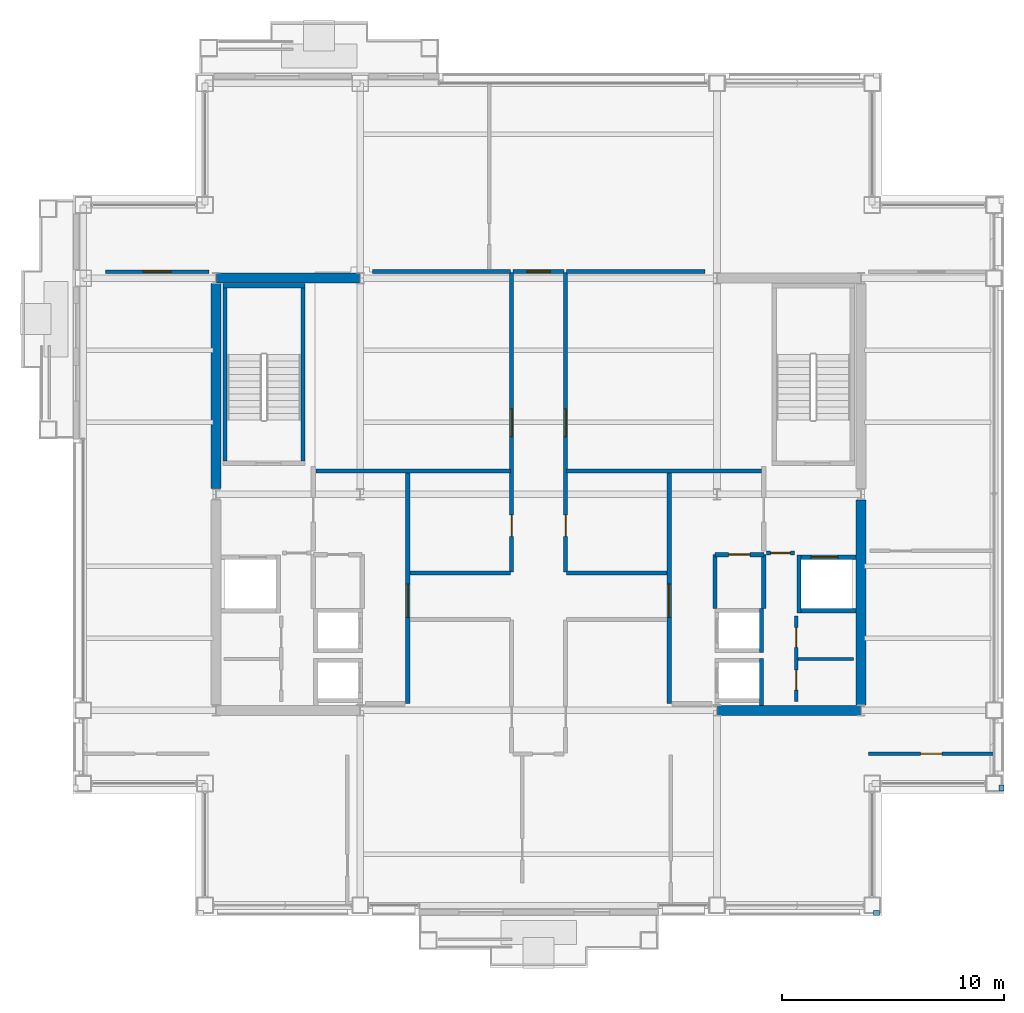
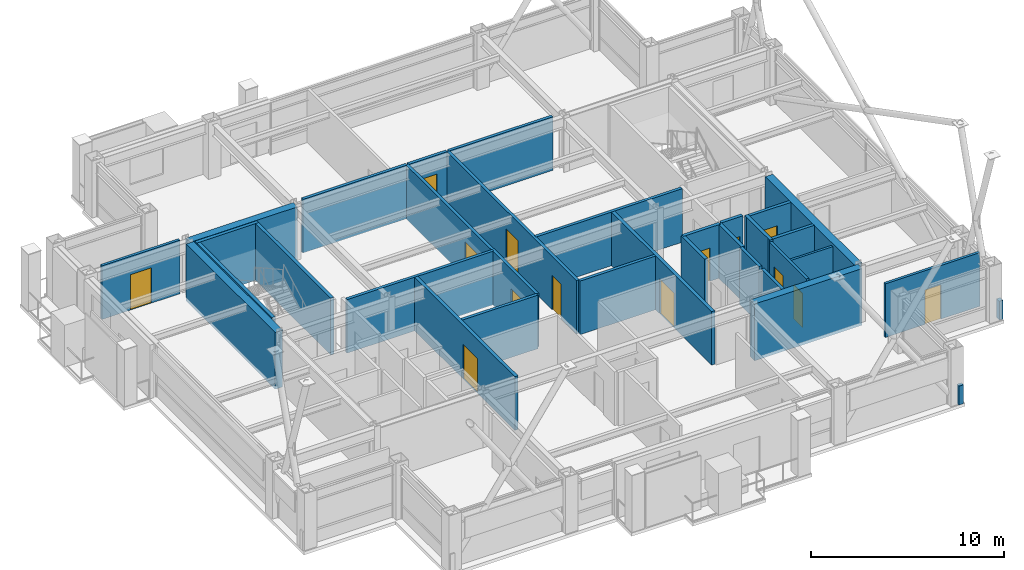
# One storey, part 28 of 32: 33 walls, 14 doors, 14 openings.
"""IFC4 building model written with IfcOpenShell, lengths in metres."""

import ifcopenshell
import ifcopenshell.guid

model = None  # the IFC model being written
_history = None  # IfcOwnerHistory: only IFC2X3 demands one
_inside = {}  # id of a spatial element -> (the spatial element, [elements in it])
_under = {}  # id of a project, library or spatial element -> (it, [spatial elements below it])
_declared = {}  # id of a project -> (the project, [libraries it declares])
_typed = {}  # id of a type object -> (the type object, [elements of that type])
_made_of = {}  # id of a material, layer set ... -> (it, [elements and type objects made of it])


def new_model(schema):
    """Start an empty IFC model of exactly this schema.

    Asked for "IFC4X3", IfcOpenShell would pick the latest addendum, in which some entities
    have other attributes; the version numbers below select the first issue.
    IFC2X3 requires an IfcOwnerHistory on every rooted entity: one is made here for all.
    """
    global model, _history
    if schema == "IFC4X3":
        model = ifcopenshell.file(schema_version=(4, 3, 0, 0))
    else:
        model = ifcopenshell.file(schema=schema)
    _inside.clear()
    _under.clear()
    _declared.clear()
    _typed.clear()
    _made_of.clear()
    _history = None
    if model.schema == "IFC2X3":
        org = make("IfcOrganization", Name="unknown")
        user = make(
            "IfcPersonAndOrganization",
            ThePerson=make("IfcPerson", FamilyName="unknown"),
            TheOrganization=org,
        )
        app = make(
            "IfcApplication",
            ApplicationDeveloper=org,
            Version="unknown",
            ApplicationFullName="unknown",
            ApplicationIdentifier="unknown",
        )
        _history = make(
            "IfcOwnerHistory",
            OwningUser=user,
            OwningApplication=app,
            ChangeAction="ADDED",
            CreationDate=0,
        )
    return model


def make(cls, **values):
    """One entity of the class cls with the attributes given. An attribute that is None is left unset."""
    return model.create_entity(
        cls, **{name: value for name, value in values.items() if value is not None}
    )


def rooted(cls, **values):
    """An entity with a GlobalId (a new one), such as an element, a storey or a relation."""
    return make(cls, GlobalId=ifcopenshell.guid.new(), OwnerHistory=_history, **values)


def si_unit(unit_type, name, prefix=None):
    """IfcSIUnit, for example si_unit("LENGTHUNIT", "METRE", prefix="MILLI")."""
    return make("IfcSIUnit", UnitType=unit_type, Prefix=prefix, Name=name)


def assignment(units):
    """IfcUnitAssignment: the units of a project."""
    return None if units is None else make("IfcUnitAssignment", Units=units)


def point(xyz):
    """IfcCartesianPoint."""
    return None if xyz is None else make("IfcCartesianPoint", Coordinates=xyz)


def direction(xyz):
    """IfcDirection."""
    return None if xyz is None else make("IfcDirection", DirectionRatios=xyz)


def frame(location, z_axis=None, x_axis=None):
    """IfcAxis2Placement3D, a coordinate frame: its origin and axes. An axis left out is left unset."""
    return make(
        "IfcAxis2Placement3D",
        Location=point(location),
        Axis=direction(z_axis),
        RefDirection=direction(x_axis),
    )


def frame_2d(location, x_axis=None):
    """IfcAxis2Placement2D, a coordinate frame in the plane: its origin and x axis."""
    return make(
        "IfcAxis2Placement2D", Location=point(location), RefDirection=direction(x_axis)
    )


def origin():
    """The frame at (0, 0, 0) with its axes left unset."""
    return frame((0.0, 0.0, 0.0))


def place(relative_to, where):
    """IfcLocalPlacement: puts the frame where relative to a parent placement (None: the world)."""
    return make(
        "IfcLocalPlacement", PlacementRelTo=relative_to, RelativePlacement=where
    )


def context(
    kind, dimensions, precision=None, world=None, true_north=None, identifier=None
):
    """IfcGeometricRepresentationContext, for example the 3D "Model" context."""
    return make(
        "IfcGeometricRepresentationContext",
        ContextIdentifier=identifier,
        ContextType=kind,
        CoordinateSpaceDimension=dimensions,
        Precision=precision,
        WorldCoordinateSystem=world,
        TrueNorth=true_north,
    )


def subcontext(parent, identifier, kind, view, scale=None):
    """IfcGeometricRepresentationSubContext, for example "Body" below "Model"."""
    return make(
        "IfcGeometricRepresentationSubContext",
        ContextIdentifier=identifier,
        ContextType=kind,
        ParentContext=parent,
        TargetScale=scale,
        TargetView=view,
    )


def project(units=None, contexts=None):
    """IfcProject with its units and contexts."""
    return rooted(
        "IfcProject",
        Name="project",
        RepresentationContexts=contexts,
        UnitsInContext=assignment(units),
    )


def spatial(cls, under=None, at=None, **own):
    """A site, building, storey or space (cls), placed at a placement, below another one or the project."""
    s = rooted(cls, ObjectPlacement=at, **own)
    if under is not None:
        _under.setdefault(under.id(), (under, []))[1].append(s)
    return s


def profile(cls, at=None, kind="AREA", **sizes):
    """A parametric profile (cls). Its sizes go by their IFC names, for example OverallWidth=200.0."""
    return make(cls, ProfileType=kind, Position=at, **sizes)


def rectangle(**sizes):
    """IfcRectangleProfileDef."""
    return profile("IfcRectangleProfileDef", **sizes)


def extrude(swept, where, along, depth):
    """IfcExtrudedAreaSolid: the profile swept, set in the frame where, extruded along a direction by depth."""
    return make(
        "IfcExtrudedAreaSolid",
        SweptArea=swept,
        Position=where,
        ExtrudedDirection=direction(along),
        Depth=depth,
    )


def shape(context_of_items, identifier, shape_type, items):
    """IfcShapeRepresentation: the items that make up one representation, for example the "Body"."""
    return make(
        "IfcShapeRepresentation",
        ContextOfItems=context_of_items,
        RepresentationIdentifier=identifier,
        RepresentationType=shape_type,
        Items=items,
    )


def material(Name=None, Category=None):
    """IfcMaterial."""
    return make("IfcMaterial", Name=Name, Category=Category)


def layer(
    of_material, thickness, ventilated=None, Name=None, Category=None, Priority=None
):
    """IfcMaterialLayer: one layer of a wall or slab, of a material (None: an air gap)."""
    return make(
        "IfcMaterialLayer",
        Material=of_material,
        LayerThickness=thickness,
        IsVentilated=ventilated,
        Name=Name,
        Category=Category,
        Priority=Priority,
    )


def layer_set(layers, Name=None):
    """IfcMaterialLayerSet."""
    return make("IfcMaterialLayerSet", MaterialLayers=layers, LayerSetName=Name)


def made_of(thing, what):
    """Note that an element or type object is made of a material, layer set ...; save() writes the relation."""
    if what is not None:
        _made_of.setdefault(what.id(), (what, []))[1].append(thing)
    return thing


def type_object(cls, material=None, **own):
    """A type object (cls), such as IfcWallType, which elements share."""
    return made_of(rooted(cls, **own), material)


def element(
    cls,
    number,
    at=None,
    inside=None,
    cuts=None,
    type_object=None,
    material=None,
    context=None,
    identifier="Body",
    shape_type=None,
    held_by="IfcProductDefinitionShape",
    body=None,
    shapes=None,
    **own,
):
    """One element of the class cls, such as IfcWall. Its Tag is "e" and its number.

    at: its placement. inside: the storey or other place that contains it. cuts: it is an
    opening in that element (IfcRelVoidsElement). A single representation is given by context,
    identifier, shape_type and body (its items); several are given by shapes. held_by: the class
    of the entity that holds the representations. save() writes the other relations.
    """
    e = rooted(cls, Tag="e%d" % number, ObjectPlacement=at, **own)
    if body is not None:
        shapes = [shape(context, identifier, shape_type, body)]
    if shapes is not None:
        e.Representation = make(held_by, Representations=shapes)
    if inside is not None:
        _inside.setdefault(inside.id(), (inside, []))[1].append(e)
    if cuts is not None:
        rooted(
            "IfcRelVoidsElement", RelatingBuildingElement=cuts, RelatedOpeningElement=e
        )
    if type_object is not None:
        _typed.setdefault(type_object.id(), (type_object, []))[1].append(e)
    return made_of(e, material)


def fill(opening, filler):
    """IfcRelFillsElement: the door or window that sits in an opening."""
    return rooted(
        "IfcRelFillsElement",
        RelatingOpeningElement=opening,
        RelatedBuildingElement=filler,
    )


def aggregate(whole, parts):
    """IfcRelAggregates: a whole, such as a stair, and the parts it consists of."""
    return rooted("IfcRelAggregates", RelatingObject=whole, RelatedObjects=parts)


def save(model, path):
    """Write the relations noted so far, then the file.

    IfcRelAggregates (storeys below a building ...), IfcRelContainedInSpatialStructure (elements
    in a storey), IfcRelDefinesByType, IfcRelAssociatesMaterial and IfcRelDeclares: one each for
    every whole, place, type object, material and project.
    """
    for whole, parts in _under.values():
        aggregate(whole, parts)
    for where, things in _inside.values():
        rooted(
            "IfcRelContainedInSpatialStructure",
            RelatedElements=things,
            RelatingStructure=where,
        )
    for kind, things in _typed.values():
        rooted("IfcRelDefinesByType", RelatedObjects=things, RelatingType=kind)
    for what, things in _made_of.values():
        rooted("IfcRelAssociatesMaterial", RelatedObjects=things, RelatingMaterial=what)
    for by, libraries in _declared.values():
        rooted("IfcRelDeclares", RelatingContext=by, RelatedDefinitions=libraries)
    model.write(path)


model = new_model("IFC4")

# Units and contexts
model_context = context("Model", 3, precision=1e-05, world=origin(), true_north=direction((0.0, 1.0)))
body_context = subcontext(model_context, "Body", "Model", "MODEL_VIEW")
ifc_project = project(units=[si_unit("LENGTHUNIT", "METRE"), si_unit("AREAUNIT", "SQUARE_METRE"), si_unit("VOLUMEUNIT", "CUBIC_METRE"), si_unit("PLANEANGLEUNIT", "RADIAN"), si_unit("MASSUNIT", "GRAM", prefix="KILO")], contexts=[model_context])

# Site, building, storey
site_placement = place(None, origin())
site = spatial("IfcSite", under=ifc_project, at=site_placement, CompositionType="ELEMENT")
building_placement = place(site_placement, origin())
building = spatial("IfcBuilding", under=site, at=building_placement, Name="Brelmoor Portico Tower", CompositionType="ELEMENT")
storey_placement = place(building_placement, frame((0.0, 0.0, 162.300048828125)))
storey = spatial("IfcBuildingStorey", under=building, at=storey_placement, Name="L42", CompositionType="ELEMENT", Elevation=162.300048828125)

# Walls
ifc_material_1 = material(Name="Concrete C50", Category="concrete")
ifc_layer_1 = layer(ifc_material_1, 0.449951171875)
ifc_layer_set_1 = layer_set([ifc_layer_1], Name="Concrete C50")
wall_type_1 = type_object("IfcWallType", Name="WL-CORE-450", PredefinedType="SHEAR", material=ifc_layer_set_1)
wall_1_placement = place(storey_placement, frame((-14.530029296875, 9.75, -0.199951171875), z_axis=(0.0, 0.0, 1.0), x_axis=(1.0, 0.0, 0.0)))
element("IfcWall", 1, at=wall_1_placement, inside=storey, type_object=wall_type_1, Name="L42 WC North Shear Wall", PredefinedType="SHEAR", context=body_context, shape_type="SweptSolid", body=[
    extrude(rectangle(XDim=6.4599609375, YDim=0.449951171875, at=frame_2d((3.22998046875, 0.0))), origin(), (0.0, 0.0, 1.0), 3.599853515625),
])
wall_2_placement = place(storey_placement, frame((-14.550048828125, 0.25, -0.199951171875), z_axis=(0.0, 0.0, 1.0), x_axis=(0.0, 1.0, 0.0)))
element("IfcWall", 2, at=wall_2_placement, inside=storey, type_object=wall_type_1, Name="L42 WC Outer North Shear Wall", PredefinedType="SHEAR", context=body_context, shape_type="SweptSolid", body=[
    extrude(rectangle(XDim=9.25, YDim=0.449951171875, at=frame_2d((4.625, 0.0))), origin(), (0.0, 0.0, 1.0), 3.599853515625),
])
wall_3_placement = place(storey_placement, frame((8.070068359375, -9.75, -0.199951171875), z_axis=(0.0, 0.0, 1.0), x_axis=(1.0, 0.0, 0.0)))
element("IfcWall", 3, at=wall_3_placement, inside=storey, type_object=wall_type_1, Name="L42 EC South Shear Wall", PredefinedType="SHEAR", context=body_context, shape_type="SweptSolid", body=[
    extrude(rectangle(XDim=6.4599609375, YDim=0.449951171875, at=frame_2d((3.22998046875, 0.0))), origin(), (0.0, 0.0, 1.0), 3.599853515625),
])
wall_4_placement = place(storey_placement, frame((14.550048828125, -9.5, -0.199951171875), z_axis=(0.0, 0.0, 1.0), x_axis=(0.0, 1.0, 0.0)))
element("IfcWall", 4, at=wall_4_placement, inside=storey, type_object=wall_type_1, Name="L42 EC Outer South Shear Wall", PredefinedType="SHEAR", context=body_context, shape_type="SweptSolid", body=[
    extrude(rectangle(XDim=9.25, YDim=0.449951171875, at=frame_2d((4.625, 0.0))), origin(), (0.0, 0.0, 1.0), 3.599853515625),
])
ifc_material_2 = material(Name="Concrete C40 Parapet Upstand", Category="concrete")
ifc_layer_2 = layer(ifc_material_2, 0.219970703125)
ifc_layer_set_2 = layer_set([ifc_layer_2], Name="Concrete C40 Parapet Upstand")
wall_type_2 = type_object("IfcWallType", Name="WL-PARAPET-220", PredefinedType="PARAPET", material=ifc_layer_set_2)
for number, where, z_axis, x_axis, name in (
    (5, (15.1201171875, -18.889892578125, 0.0), (0.0, 0.0, 1.0), (1.0, 0.0, 0.0), "L42 Chamfer Vertex Parapet Pier SE1"),
    (6, (20.889892578125, -13.389892578125, 0.0), (0.0, 0.0, 1.0), (0.0, 1.0, 0.0), "L42 Chamfer Vertex Parapet Pier SE2"),
):
    element("IfcWall", number, at=place(storey_placement, frame(where, z_axis=z_axis, x_axis=x_axis)), inside=storey, type_object=wall_type_2, Name=name, PredefinedType="PARAPET", context=body_context, shape_type="SweptSolid", body=[
        extrude(rectangle(XDim=0.269775390625, YDim=0.219970703125, at=frame_2d((0.134765625, 0.0))), origin(), (0.0, 0.0, 1.0), 1.199951171875),
    ])
ifc_material_3 = material(Name="Insulated Stud Suite Partition", Category="gypsum")
ifc_layer_3 = layer(ifc_material_3, 0.139892578125)
ifc_layer_set_3 = layer_set([ifc_layer_3], Name="Insulated Stud Suite Partition")
wall_type_3 = type_object("IfcWallType", Name="WL-PART-140", PredefinedType="PARTITIONING", material=ifc_layer_set_3)
wall_5_placement = place(storey_placement, frame((11.699951171875, -7.425048828125, 0.0), z_axis=(0.0, 0.0, 1.0), x_axis=(1.0, 0.0, 0.0)))
element("IfcWall", 7, at=wall_5_placement, inside=storey, type_object=wall_type_3, Name="L42 E Core WC Divider 1", PredefinedType="PARTITIONING", context=body_context, shape_type="SweptSolid", body=[
    extrude(rectangle(XDim=2.5, YDim=0.139892578125, at=frame_2d((1.25, 0.0))), origin(), (0.0, 0.0, 1.0), 3.39990234375),
])

# Wall, openings, doors
ifc_material_4 = material(Name="Twin-Frame Acoustic Partition", Category="gypsum")
ifc_layer_4 = layer(ifc_material_4, 0.159912109375)
ifc_layer_set_4 = layer_set([ifc_layer_4], Name="Twin-Frame Acoustic Partition")
wall_type_4 = type_object("IfcWallType", Name="WL-PART-160", PredefinedType="PARTITIONING", material=ifc_layer_set_4)
wall_6_placement = place(storey_placement, frame((11.6201171875, -9.35009765625, 0.0), z_axis=(0.0, 0.0, 1.0), x_axis=(0.0, 1.0, 0.0)))
wall_6 = element("IfcWall", 8, at=wall_6_placement, inside=storey, type_object=wall_type_4, Name="L42 E Core Service Front Wall", PredefinedType="PARTITIONING", context=body_context, shape_type="SweptSolid", body=[
    extrude(rectangle(XDim=3.85009765625, YDim=0.159912109375, at=frame_2d((1.925048828125, 0.0))), origin(), (0.0, 0.0, 1.0), 3.39990234375),
])
opening_1_placement = place(wall_6_placement, frame((0.512451171875, 0.0, 0.0)))
opening_1 = element("IfcOpeningElement", 9, at=opening_1_placement, cuts=wall_6, Name="Opening D-IN1", PredefinedType="OPENING", context=body_context, shape_type="SweptSolid", body=[
    extrude(rectangle(XDim=0.89990234375, YDim=2.14990234375, at=frame_2d((0.449951171875, 1.074951171875))), frame((0.0, 0.08984375, 0.0), z_axis=(0.0, -1.0, 0.0), x_axis=(1.0, 0.0, 0.0)), (0.0, 0.0, 1.0), 0.179931640625),
])
opening_2_placement = place(wall_6_placement, frame((2.4375, 0.0, 0.0)))
opening_2 = element("IfcOpeningElement", 10, at=opening_2_placement, cuts=wall_6, Name="Opening D-IN1", PredefinedType="OPENING", context=body_context, shape_type="SweptSolid", body=[
    extrude(rectangle(XDim=0.89990234375, YDim=2.14990234375, at=frame_2d((0.449951171875, 1.074951171875))), frame((0.0, 0.08984375, 0.0), z_axis=(0.0, -1.0, 0.0), x_axis=(1.0, 0.0, 0.0)), (0.0, 0.0, 1.0), 0.179931640625),
])
ifc_material_5 = material(Name="Lacquered Timber Suite Door", Category="wood")
door_type_1 = type_object("IfcDoorType", Name="DR-INT-900", OperationType="NOTDEFINED", PredefinedType="DOOR", material=ifc_material_5)
door_1_placement = place(opening_1_placement, origin())
door_1 = element("IfcDoor", 11, at=door_1_placement, inside=storey, type_object=door_type_1, Name="D-1787 L42 E Male WC Door", OperationType="SINGLE_SWING_RIGHT", OverallHeight=2.14990234375, OverallWidth=0.89990234375, PredefinedType="DOOR", context=body_context, shape_type="SweptSolid", body=[
    extrude(rectangle(XDim=0.89990234375, YDim=2.14990234375, at=frame_2d((0.449951171875, 1.074951171875))), frame((0.0, 0.02490234375, 0.0), z_axis=(0.0, -1.0, 0.0), x_axis=(1.0, 0.0, 0.0)), (0.0, 0.0, 1.0), 0.050048828125),
])
fill(opening_1, door_1)
door_2_placement = place(opening_2_placement, origin())
door_2 = element("IfcDoor", 12, at=door_2_placement, inside=storey, type_object=door_type_1, Name="D-1788 L42 E Female WC Door", OperationType="SINGLE_SWING_LEFT", OverallHeight=2.14990234375, OverallWidth=0.89990234375, PredefinedType="DOOR", context=body_context, shape_type="SweptSolid", body=[
    extrude(rectangle(XDim=0.89990234375, YDim=2.14990234375, at=frame_2d((0.449951171875, 1.074951171875))), frame((0.0, 0.02490234375, 0.0), z_axis=(0.0, -1.0, 0.0), x_axis=(1.0, 0.0, 0.0)), (0.0, 0.0, 1.0), 0.050048828125),
])
fill(opening_2, door_2)

# Wall, opening, door
wall_7_placement = place(storey_placement, frame((-19.550048828125, 10.050048828125, 0.0), z_axis=(0.0, 0.0, 1.0), x_axis=(1.0, 0.0, 0.0)))
wall_7 = element("IfcWall", 13, at=wall_7_placement, inside=storey, type_object=wall_type_4, Name="L42 North Wing Suite Wall WL", PredefinedType="PARTITIONING", context=body_context, shape_type="SweptSolid", body=[
    extrude(rectangle(XDim=4.670166015625, YDim=0.159912109375, at=frame_2d((2.3349609375, 0.0))), origin(), (0.0, 0.0, 1.0), 3.39990234375),
])
opening_3_placement = place(wall_7_placement, frame((1.715087890625, 0.0, 0.0)))
opening_3 = element("IfcOpeningElement", 14, at=opening_3_placement, cuts=wall_7, Name="Opening D-SU1", PredefinedType="OPENING", context=body_context, shape_type="SweptSolid", body=[
    extrude(rectangle(XDim=1.239990234375, YDim=2.239990234375, at=frame_2d((0.6201171875, 1.1201171875))), frame((0.0, 0.08984375, 0.0), z_axis=(0.0, -1.0, 0.0), x_axis=(1.0, 0.0, 0.0)), (0.0, 0.0, 1.0), 0.179931640625),
])
ifc_material_6 = material(Name="Glazed Timber Executive Suite Door", Category="wood")
door_type_2 = type_object("IfcDoorType", Name="DR-SUITE-1200", OperationType="NOTDEFINED", PredefinedType="DOOR", material=ifc_material_6)
door_3_placement = place(opening_3_placement, origin())
door_3 = element("IfcDoor", 15, at=door_3_placement, inside=storey, type_object=door_type_2, Name="D-1802 L42 WL Wing Suite Connecting Door", OperationType="SINGLE_SWING_RIGHT", OverallHeight=2.239990234375, OverallWidth=1.239990234375, PredefinedType="DOOR", context=body_context, shape_type="SweptSolid", body=[
    extrude(rectangle(XDim=1.239990234375, YDim=2.239990234375, at=frame_2d((0.6201171875, 1.1201171875))), frame((0.0, 0.02490234375, 0.0), z_axis=(0.0, -1.0, 0.0), x_axis=(1.0, 0.0, 0.0)), (0.0, 0.0, 1.0), 0.050048828125),
])
fill(opening_3, door_3)

wall_8_placement = place(storey_placement, frame((14.8798828125, -11.7099609375, 0.0), z_axis=(0.0, 0.0, 1.0), x_axis=(1.0, 0.0, 0.0)))
wall_8 = element("IfcWall", 16, at=wall_8_placement, inside=storey, type_object=wall_type_4, Name="L42 South Wing Closure ER", PredefinedType="PARTITIONING", context=body_context, shape_type="SweptSolid", body=[
    extrude(rectangle(XDim=5.68017578125, YDim=0.159912109375, at=frame_2d((2.840087890625, 0.0))), origin(), (0.0, 0.0, 1.0), 3.39990234375),
])
opening_4_placement = place(wall_8_placement, frame((2.360107421875, 0.0, 0.0)))
opening_4 = element("IfcOpeningElement", 17, at=opening_4_placement, cuts=wall_8, Name="Opening D-IN2", PredefinedType="OPENING", context=body_context, shape_type="SweptSolid", body=[
    extrude(rectangle(XDim=0.9599609375, YDim=2.179931640625, at=frame_2d((0.47998046875, 1.08984375))), frame((0.0, 0.08984375, 0.0), z_axis=(0.0, -1.0, 0.0), x_axis=(1.0, 0.0, 0.0)), (0.0, 0.0, 1.0), 0.179931640625),
])
door_type_3 = type_object("IfcDoorType", Name="DR-INT-950", OperationType="NOTDEFINED", PredefinedType="DOOR", material=ifc_material_5)
door_4_placement = place(opening_4_placement, origin())
door_4 = element("IfcDoor", 18, at=door_4_placement, inside=storey, type_object=door_type_3, Name="D-1809 L42 ER Wing South Suite Door", OperationType="SINGLE_SWING_LEFT", OverallHeight=2.179931640625, OverallWidth=0.9599609375, PredefinedType="DOOR", context=body_context, shape_type="SweptSolid", body=[
    extrude(rectangle(XDim=0.9599609375, YDim=2.179931640625, at=frame_2d((0.47998046875, 1.08984375))), frame((0.0, 0.02490234375, 0.0), z_axis=(0.0, -1.0, 0.0), x_axis=(1.0, 0.0, 0.0)), (0.0, 0.0, 1.0), 0.050048828125),
])
fill(opening_4, door_4)

# Wall
ifc_material_7 = material(Name="Acoustic Corridor Fire Partition", Category="gypsum")
ifc_layer_5 = layer(ifc_material_7, 0.179931640625)
ifc_layer_set_5 = layer_set([ifc_layer_5], Name="Acoustic Corridor Fire Partition")
wall_type_5 = type_object("IfcWallType", Name="WL-PART-180", PredefinedType="PARTITIONING", material=ifc_layer_set_5)
wall_9_placement = place(storey_placement, frame((-10.050048828125, 1.050048828125, 0.0), z_axis=(0.0, 0.0, 1.0), x_axis=(1.0, 0.0, 0.0)))
element("IfcWall", 19, at=wall_9_placement, inside=storey, type_object=wall_type_5, Name="L42 West Reclaimed Suite South Wall", PredefinedType="PARTITIONING", context=body_context, shape_type="SweptSolid", body=[
    extrude(rectangle(XDim=8.7900390625, YDim=0.179931640625, at=frame_2d((4.39501953125, 0.0))), origin(), (0.0, 0.0, 1.0), 3.39990234375),
])

# Wall, openings, doors
wall_10_placement = place(storey_placement, frame((-1.219970703125, -3.5, 0.0), z_axis=(0.0, 0.0, 1.0), x_axis=(0.0, 1.0, 0.0)))
wall_10 = element("IfcWall", 20, at=wall_10_placement, inside=storey, type_object=wall_type_5, Name="L42 Central Cross West Wall", PredefinedType="PARTITIONING", context=body_context, shape_type="SweptSolid", body=[
    extrude(rectangle(XDim=13.510009765625, YDim=0.179931640625, at=frame_2d((6.7548828125, 0.0))), origin(), (0.0, 0.0, 1.0), 3.39990234375),
])
opening_5_placement = place(wall_10_placement, frame((6.10009765625, 0.0, 0.0)))
opening_5 = element("IfcOpeningElement", 21, at=opening_5_placement, cuts=wall_10, Name="Opening D-SU1", PredefinedType="OPENING", context=body_context, shape_type="SweptSolid", body=[
    extrude(rectangle(XDim=1.239990234375, YDim=2.239990234375, at=frame_2d((0.6201171875, 1.1201171875))), frame((0.0, 0.099853515625, 0.0), z_axis=(0.0, -1.0, 0.0), x_axis=(1.0, 0.0, 0.0)), (0.0, 0.0, 1.0), 0.199951171875),
])
opening_6_placement = place(wall_10_placement, frame((1.60009765625, 0.0, 0.0)))
opening_6 = element("IfcOpeningElement", 22, at=opening_6_placement, cuts=wall_10, Name="Opening D-IN2", PredefinedType="OPENING", context=body_context, shape_type="SweptSolid", body=[
    extrude(rectangle(XDim=0.9599609375, YDim=2.179931640625, at=frame_2d((0.47998046875, 1.08984375))), frame((0.0, 0.099853515625, 0.0), z_axis=(0.0, -1.0, 0.0), x_axis=(1.0, 0.0, 0.0)), (0.0, 0.0, 1.0), 0.199951171875),
])
door_5_placement = place(opening_6_placement, origin())
door_5 = element("IfcDoor", 23, at=door_5_placement, inside=storey, type_object=door_type_3, Name="D-1785 L42 Staff Pantry Door", OperationType="SINGLE_SWING_LEFT", OverallHeight=2.179931640625, OverallWidth=0.9599609375, PredefinedType="DOOR", context=body_context, shape_type="SweptSolid", body=[
    extrude(rectangle(XDim=0.9599609375, YDim=2.179931640625, at=frame_2d((0.47998046875, 1.08984375))), frame((0.0, 0.02490234375, 0.0), z_axis=(0.0, -1.0, 0.0), x_axis=(1.0, 0.0, 0.0)), (0.0, 0.0, 1.0), 0.050048828125),
])
fill(opening_6, door_5)
door_6_placement = place(opening_5_placement, origin())
door_6 = element("IfcDoor", 24, at=door_6_placement, inside=storey, type_object=door_type_2, Name="D-1786 L42 West Reclaimed Studio Door", OperationType="SINGLE_SWING_RIGHT", OverallHeight=2.239990234375, OverallWidth=1.239990234375, PredefinedType="DOOR", context=body_context, shape_type="SweptSolid", body=[
    extrude(rectangle(XDim=1.239990234375, YDim=2.239990234375, at=frame_2d((0.6201171875, 1.1201171875))), frame((0.0, 0.02490234375, 0.0), z_axis=(0.0, -1.0, 0.0), x_axis=(1.0, 0.0, 0.0)), (0.0, 0.0, 1.0), 0.050048828125),
])
fill(opening_5, door_6)

# Walls
wall_11_placement = place(storey_placement, frame((-7.5, 10.050048828125, 0.0), z_axis=(0.0, 0.0, 1.0), x_axis=(1.0, 0.0, 0.0)))
element("IfcWall", 25, at=wall_11_placement, inside=storey, type_object=wall_type_5, Name="L42 West Reclaimed Suite North Wall", PredefinedType="PARTITIONING", context=body_context, shape_type="SweptSolid", body=[
    extrude(rectangle(XDim=6.239990234375, YDim=0.179931640625, at=frame_2d((3.1201171875, 0.0))), origin(), (0.0, 0.0, 1.0), 3.39990234375),
])
wall_12_placement = place(storey_placement, frame((-5.800048828125, -3.550048828125, 0.0), z_axis=(0.0, 0.0, 1.0), x_axis=(1.0, 0.0, 0.0)))
element("IfcWall", 26, at=wall_12_placement, inside=storey, type_object=wall_type_5, Name="L42 West Pantry South Wall", PredefinedType="PARTITIONING", context=body_context, shape_type="SweptSolid", body=[
    extrude(rectangle(XDim=4.5400390625, YDim=0.179931640625, at=frame_2d((2.27001953125, 0.0))), origin(), (0.0, 0.0, 1.0), 3.39990234375),
])
wall_13_placement = place(storey_placement, frame((1.260009765625, 1.050048828125, 0.0), z_axis=(0.0, 0.0, 1.0), x_axis=(1.0, 0.0, 0.0)))
element("IfcWall", 27, at=wall_13_placement, inside=storey, type_object=wall_type_5, Name="L42 East Suite South Wall", PredefinedType="PARTITIONING", context=body_context, shape_type="SweptSolid", body=[
    extrude(rectangle(XDim=8.800048828125, YDim=0.179931640625, at=frame_2d((4.39990234375, 0.0))), origin(), (0.0, 0.0, 1.0), 3.39990234375),
])

# Wall, openings, doors
wall_14_placement = place(storey_placement, frame((1.219970703125, -3.5, 0.0), z_axis=(0.0, 0.0, 1.0), x_axis=(0.0, 1.0, 0.0)))
wall_14 = element("IfcWall", 28, at=wall_14_placement, inside=storey, type_object=wall_type_5, Name="L42 Central Cross East Wall", PredefinedType="PARTITIONING", context=body_context, shape_type="SweptSolid", body=[
    extrude(rectangle(XDim=13.510009765625, YDim=0.179931640625, at=frame_2d((6.7548828125, 0.0))), origin(), (0.0, 0.0, 1.0), 3.39990234375),
])
opening_7_placement = place(wall_14_placement, frame((6.10009765625, 0.0, 0.0)))
opening_7 = element("IfcOpeningElement", 29, at=opening_7_placement, cuts=wall_14, Name="Opening D-SU1", PredefinedType="OPENING", context=body_context, shape_type="SweptSolid", body=[
    extrude(rectangle(XDim=1.239990234375, YDim=2.239990234375, at=frame_2d((0.6201171875, 1.1201171875))), frame((0.0, 0.099853515625, 0.0), z_axis=(0.0, -1.0, 0.0), x_axis=(1.0, 0.0, 0.0)), (0.0, 0.0, 1.0), 0.199951171875),
])
opening_8_placement = place(wall_14_placement, frame((1.60009765625, 0.0, 0.0)))
opening_8 = element("IfcOpeningElement", 30, at=opening_8_placement, cuts=wall_14, Name="Opening D-IN2", PredefinedType="OPENING", context=body_context, shape_type="SweptSolid", body=[
    extrude(rectangle(XDim=0.9599609375, YDim=2.179931640625, at=frame_2d((0.47998046875, 1.08984375))), frame((0.0, 0.099853515625, 0.0), z_axis=(0.0, -1.0, 0.0), x_axis=(1.0, 0.0, 0.0)), (0.0, 0.0, 1.0), 0.199951171875),
])
door_7_placement = place(opening_8_placement, origin())
door_7 = element("IfcDoor", 31, at=door_7_placement, inside=storey, type_object=door_type_3, Name="D-1781 L42 Client Project Office Door", OperationType="SINGLE_SWING_LEFT", OverallHeight=2.179931640625, OverallWidth=0.9599609375, PredefinedType="DOOR", context=body_context, shape_type="SweptSolid", body=[
    extrude(rectangle(XDim=0.9599609375, YDim=2.179931640625, at=frame_2d((0.47998046875, 1.08984375))), frame((0.0, 0.02490234375, 0.0), z_axis=(0.0, -1.0, 0.0), x_axis=(1.0, 0.0, 0.0)), (0.0, 0.0, 1.0), 0.050048828125),
])
fill(opening_8, door_7)
door_8_placement = place(opening_7_placement, origin())
door_8 = element("IfcDoor", 32, at=door_8_placement, inside=storey, type_object=door_type_2, Name="D-1782 L42 East Reclaimed Studio Door", OperationType="SINGLE_SWING_RIGHT", OverallHeight=2.239990234375, OverallWidth=1.239990234375, PredefinedType="DOOR", context=body_context, shape_type="SweptSolid", body=[
    extrude(rectangle(XDim=1.239990234375, YDim=2.239990234375, at=frame_2d((0.6201171875, 1.1201171875))), frame((0.0, 0.02490234375, 0.0), z_axis=(0.0, -1.0, 0.0), x_axis=(1.0, 0.0, 0.0)), (0.0, 0.0, 1.0), 0.050048828125),
])
fill(opening_7, door_8)

# Walls
wall_15_placement = place(storey_placement, frame((1.260009765625, 10.050048828125, 0.0), z_axis=(0.0, 0.0, 1.0), x_axis=(1.0, 0.0, 0.0)))
element("IfcWall", 33, at=wall_15_placement, inside=storey, type_object=wall_type_5, Name="L42 East Suite North Wall", PredefinedType="PARTITIONING", context=body_context, shape_type="SweptSolid", body=[
    extrude(rectangle(XDim=6.239990234375, YDim=0.179931640625, at=frame_2d((3.1201171875, 0.0))), origin(), (0.0, 0.0, 1.0), 3.39990234375),
])
wall_16_placement = place(storey_placement, frame((1.260009765625, -3.550048828125, 0.0), z_axis=(0.0, 0.0, 1.0), x_axis=(1.0, 0.0, 0.0)))
element("IfcWall", 34, at=wall_16_placement, inside=storey, type_object=wall_type_5, Name="L42 East Office South Wall", PredefinedType="PARTITIONING", context=body_context, shape_type="SweptSolid", body=[
    extrude(rectangle(XDim=4.5400390625, YDim=0.179931640625, at=frame_2d((2.27001953125, 0.0))), origin(), (0.0, 0.0, 1.0), 3.39990234375),
])

# Wall, opening, door
wall_17_placement = place(storey_placement, frame((-1.14990234375, 10.050048828125, 0.0), z_axis=(0.0, 0.0, 1.0), x_axis=(1.0, 0.0, 0.0)))
wall_17 = element("IfcWall", 35, at=wall_17_placement, inside=storey, type_object=wall_type_5, Name="L42 North Corridor Partition", PredefinedType="PARTITIONING", context=body_context, shape_type="SweptSolid", body=[
    extrude(rectangle(XDim=2.2998046875, YDim=0.179931640625, at=frame_2d((1.14990234375, 0.0))), origin(), (0.0, 0.0, 1.0), 3.39990234375),
])
opening_9_placement = place(wall_17_placement, frame((0.6201171875, 0.0, 0.0)))
opening_9 = element("IfcOpeningElement", 36, at=opening_9_placement, cuts=wall_17, Name="Opening D-OF2", PredefinedType="OPENING", context=body_context, shape_type="SweptSolid", body=[
    extrude(rectangle(XDim=1.06005859375, YDim=2.199951171875, at=frame_2d((0.530029296875, 1.10009765625))), frame((0.0, 0.099853515625, 0.0), z_axis=(0.0, -1.0, 0.0), x_axis=(1.0, 0.0, 0.0)), (0.0, 0.0, 1.0), 0.199951171875),
])
ifc_material_8 = material(Name="Hardwood Acoustic Veneer Door", Category="wood")
door_type_4 = type_object("IfcDoorType", Name="DR-OFFICE-1050", OperationType="NOTDEFINED", PredefinedType="DOOR", material=ifc_material_8)
door_9_placement = place(opening_9_placement, origin())
door_9 = element("IfcDoor", 37, at=door_9_placement, inside=storey, type_object=door_type_4, Name="D-1799 L42 North Staff Tea Pantry 2 Door", OperationType="SINGLE_SWING_LEFT", OverallHeight=2.199951171875, OverallWidth=1.06005859375, PredefinedType="DOOR", context=body_context, shape_type="SweptSolid", body=[
    extrude(rectangle(XDim=1.06005859375, YDim=2.199951171875, at=frame_2d((0.530029296875, 1.10009765625))), frame((0.0, 0.02490234375, 0.0), z_axis=(0.0, -1.0, 0.0), x_axis=(1.0, 0.0, 0.0)), (0.0, 0.0, 1.0), 0.050048828125),
])
fill(opening_9, door_9)

ifc_material_9 = material(Name="Double-Stud Gypsum Fire Partition", Category="gypsum")
ifc_layer_6 = layer(ifc_material_9, 0.199951171875)
ifc_layer_set_6 = layer_set([ifc_layer_6], Name="Double-Stud Gypsum Fire Partition")
wall_type_6 = type_object("IfcWallType", Name="WL-PART-200", PredefinedType="PARTITIONING", material=ifc_layer_set_6)
wall_18_placement = place(storey_placement, frame((-5.89990234375, -9.449951171875, 0.0), z_axis=(0.0, 0.0, 1.0), x_axis=(0.0, 1.0, 0.0)))
wall_18 = element("IfcWall", 38, at=wall_18_placement, inside=storey, type_object=wall_type_6, Name="L42 W Core Lobby Compartment Wall", PredefinedType="PARTITIONING", context=body_context, shape_type="SweptSolid", body=[
    extrude(rectangle(XDim=10.5, YDim=0.199951171875, at=frame_2d((5.25, 0.0))), origin(), (0.0, 0.0, 1.0), 3.39990234375),
])
opening_10_placement = place(wall_18_placement, frame((3.89990234375, 0.0, 0.0)))
opening_10 = element("IfcOpeningElement", 39, at=opening_10_placement, cuts=wall_18, Name="Opening D-LB1", PredefinedType="OPENING", context=body_context, shape_type="SweptSolid", body=[
    extrude(rectangle(XDim=1.5, YDim=2.199951171875, at=frame_2d((0.75, 1.10009765625))), frame((0.0, 0.10986328125, 0.0), z_axis=(0.0, -1.0, 0.0), x_axis=(1.0, 0.0, 0.0)), (0.0, 0.0, 1.0), 0.219970703125),
])
ifc_material_10 = material(Name="Double-Leaf Glazed Steel Fire Door", Category="steel")
door_type_5 = type_object("IfcDoorType", Name="DR-LOBBY-1500", OperationType="NOTDEFINED", PredefinedType="DOOR", material=ifc_material_10)
door_10_placement = place(opening_10_placement, origin())
door_10 = element("IfcDoor", 40, at=door_10_placement, inside=storey, type_object=door_type_5, Name="D-1798 L42 W Lift Lobby Main Door", OperationType="DOUBLE_DOOR_SINGLE_SWING", OverallHeight=2.199951171875, OverallWidth=1.5, PredefinedType="DOOR", context=body_context, shape_type="SweptSolid", body=[
    extrude(rectangle(XDim=1.5, YDim=2.199951171875, at=frame_2d((0.75, 1.10009765625))), frame((0.0, 0.02490234375, 0.0), z_axis=(0.0, -1.0, 0.0), x_axis=(1.0, 0.0, 0.0)), (0.0, 0.0, 1.0), 0.050048828125),
])
fill(opening_10, door_10)

wall_19_placement = place(storey_placement, frame((5.89990234375, -9.449951171875, 0.0), z_axis=(0.0, 0.0, 1.0), x_axis=(0.0, 1.0, 0.0)))
wall_19 = element("IfcWall", 41, at=wall_19_placement, inside=storey, type_object=wall_type_6, Name="L42 E Core Lobby Compartment Wall", PredefinedType="PARTITIONING", context=body_context, shape_type="SweptSolid", body=[
    extrude(rectangle(XDim=10.5, YDim=0.199951171875, at=frame_2d((5.25, 0.0))), origin(), (0.0, 0.0, 1.0), 3.39990234375),
])
opening_11_placement = place(wall_19_placement, frame((3.89990234375, 0.0, 0.0)))
opening_11 = element("IfcOpeningElement", 42, at=opening_11_placement, cuts=wall_19, Name="Opening D-LB1", PredefinedType="OPENING", context=body_context, shape_type="SweptSolid", body=[
    extrude(rectangle(XDim=1.5, YDim=2.199951171875, at=frame_2d((0.75, 1.10009765625))), frame((0.0, 0.10986328125, 0.0), z_axis=(0.0, -1.0, 0.0), x_axis=(1.0, 0.0, 0.0)), (0.0, 0.0, 1.0), 0.219970703125),
])
door_11_placement = place(opening_11_placement, origin())
door_11 = element("IfcDoor", 43, at=door_11_placement, inside=storey, type_object=door_type_5, Name="D-1797 L42 E Lift Lobby Main Door", OperationType="DOUBLE_DOOR_SINGLE_SWING", OverallHeight=2.199951171875, OverallWidth=1.5, PredefinedType="DOOR", context=body_context, shape_type="SweptSolid", body=[
    extrude(rectangle(XDim=1.5, YDim=2.199951171875, at=frame_2d((0.75, 1.10009765625))), frame((0.0, 0.02490234375, 0.0), z_axis=(0.0, -1.0, 0.0), x_axis=(1.0, 0.0, 0.0)), (0.0, 0.0, 1.0), 0.050048828125),
])
fill(opening_11, door_11)

wall_20_placement = place(storey_placement, frame((10.280029296875, -2.64990234375, 0.0), z_axis=(0.0, 0.0, 1.0), x_axis=(1.0, 0.0, 0.0)))
wall_20 = element("IfcWall", 44, at=wall_20_placement, inside=storey, type_object=wall_type_6, Name="L42 E Firefighting Lobby South Wall", PredefinedType="PARTITIONING", context=body_context, shape_type="SweptSolid", body=[
    extrude(rectangle(XDim=1.27001953125, YDim=0.199951171875, at=frame_2d((0.635009765625, 0.0))), origin(), (0.0, 0.0, 1.0), 3.39990234375),
])
opening_12_placement = place(wall_20_placement, frame((0.18505859375, 0.0, 0.0)))
opening_12 = element("IfcOpeningElement", 45, at=opening_12_placement, cuts=wall_20, Name="Opening D-IN1", PredefinedType="OPENING", context=body_context, shape_type="SweptSolid", body=[
    extrude(rectangle(XDim=0.89990234375, YDim=2.14990234375, at=frame_2d((0.449951171875, 1.074951171875))), frame((0.0, 0.10986328125, 0.0), z_axis=(0.0, -1.0, 0.0), x_axis=(1.0, 0.0, 0.0)), (0.0, 0.0, 1.0), 0.219970703125),
])
door_12_placement = place(opening_12_placement, origin())
door_12 = element("IfcDoor", 46, at=door_12_placement, inside=storey, type_object=door_type_1, Name="D-1789 L42 E Core Service Vestibule Door", OperationType="SINGLE_SWING_RIGHT", OverallHeight=2.14990234375, OverallWidth=0.89990234375, PredefinedType="DOOR", context=body_context, shape_type="SweptSolid", body=[
    extrude(rectangle(XDim=0.89990234375, YDim=2.14990234375, at=frame_2d((0.449951171875, 1.074951171875))), frame((0.0, 0.02490234375, 0.0), z_axis=(0.0, -1.0, 0.0), x_axis=(1.0, 0.0, 0.0)), (0.0, 0.0, 1.0), 0.050048828125),
])
fill(opening_12, door_12)

wall_21_placement = place(storey_placement, frame((7.9599609375, -2.719970703125, 0.0), z_axis=(0.0, 0.0, 1.0), x_axis=(1.0, 0.0, 0.0)))
wall_21 = element("IfcWall", 47, at=wall_21_placement, inside=storey, type_object=wall_type_6, Name="L42 E Electrical Switchgear Closet Wall", PredefinedType="PARTITIONING", context=body_context, shape_type="SweptSolid", body=[
    extrude(rectangle(XDim=2.199951171875, YDim=0.199951171875, at=frame_2d((1.10009765625, 0.0))), origin(), (0.0, 0.0, 1.0), 3.39990234375),
])
opening_13_placement = place(wall_21_placement, frame((0.6201171875, 0.0, 0.0)))
opening_13 = element("IfcOpeningElement", 48, at=opening_13_placement, cuts=wall_21, Name="Opening D-FR4", PredefinedType="OPENING", context=body_context, shape_type="SweptSolid", body=[
    extrude(rectangle(XDim=0.949951171875, YDim=2.10009765625, at=frame_2d((0.47509765625, 1.050048828125))), frame((0.0, 0.10986328125, 0.0), z_axis=(0.0, -1.0, 0.0), x_axis=(1.0, 0.0, 0.0)), (0.0, 0.0, 1.0), 0.219970703125),
])
ifc_material_11 = material(Name="Painted Galvanised Steel Riser Door", Category="steel")
door_type_6 = type_object("IfcDoorType", Name="DR-FIRE-950", OperationType="NOTDEFINED", PredefinedType="DOOR", material=ifc_material_11)
door_13_placement = place(opening_13_placement, origin())
door_13 = element("IfcDoor", 49, at=door_13_placement, inside=storey, type_object=door_type_6, Name="D-1793 L42 E Electrical Switchgear Closet Door", OperationType="SINGLE_SWING_LEFT", OverallHeight=2.10009765625, OverallWidth=0.949951171875, PredefinedType="DOOR", context=body_context, shape_type="SweptSolid", body=[
    extrude(rectangle(XDim=0.949951171875, YDim=2.10009765625, at=frame_2d((0.47509765625, 1.050048828125))), frame((0.0, 0.02490234375, 0.0), z_axis=(0.0, -1.0, 0.0), x_axis=(1.0, 0.0, 0.0)), (0.0, 0.0, 1.0), 0.050048828125),
])
fill(opening_13, door_13)

# Walls
for number, where, z_axis, x_axis, name in (
    (50, (7.9599609375, -5.159912109375, 0.0), (0.0, 0.0, 1.0), (0.0, 1.0, 0.0), "L42 E Electrical Switchgear Closet Inner Wall"),
    (51, (10.159912109375, -5.159912109375, 0.0), (0.0, 0.0, 1.0), (0.0, 1.0, 0.0), "L42 E Electrical Switchgear Closet Outer Wall"),
):
    element("IfcWall", number, at=place(storey_placement, frame(where, z_axis=z_axis, x_axis=x_axis)), inside=storey, type_object=wall_type_6, Name=name, PredefinedType="PARTITIONING", context=body_context, shape_type="SweptSolid", body=[
        extrude(rectangle(XDim=2.43994140625, YDim=0.199951171875, at=frame_2d((1.219970703125, 0.0))), origin(), (0.0, 0.0, 1.0), 3.39990234375),
    ])
ifc_material_12 = material(Name="Precast Concrete C40", Category="concrete")
ifc_layer_7 = layer(ifc_material_12, 0.18994140625)
ifc_layer_set_7 = layer_set([ifc_layer_7], Name="Precast Concrete C40")
wall_type_7 = type_object("IfcWallType", Name="WL-SHAFT-180", PredefinedType="SOLIDWALL", material=ifc_layer_set_7)
wall_22_placement = place(storey_placement, frame((10.054931640625, -9.52001953125, -0.199951171875), z_axis=(0.0, 0.0, 1.0), x_axis=(0.0, 1.0, 0.0)))
element("IfcWall", 52, at=wall_22_placement, inside=storey, type_object=wall_type_7, Name="L42 Lift PH3 Hoistway Back Wall", PredefinedType="SOLIDWALL", context=body_context, shape_type="SweptSolid", body=[
    extrude(rectangle(XDim=2.1201171875, YDim=0.18994140625, at=frame_2d((1.06005859375, 0.0))), origin(), (0.0, 0.0, 1.0), 3.599853515625),
])
wall_23_placement = place(storey_placement, frame((10.054931640625, -7.14990234375, -0.199951171875), z_axis=(0.0, 0.0, 1.0), x_axis=(0.0, 1.0, 0.0)))
element("IfcWall", 53, at=wall_23_placement, inside=storey, type_object=wall_type_7, Name="L42 Lift PH4 Hoistway Back Wall", PredefinedType="SOLIDWALL", context=body_context, shape_type="SweptSolid", body=[
    extrude(rectangle(XDim=2.0, YDim=0.18994140625, at=frame_2d((1.0, 0.0))), origin(), (0.0, 0.0, 1.0), 3.599853515625),
])

# Wall, opening, door
wall_24_placement = place(storey_placement, frame((11.64990234375, -2.844970703125, -0.199951171875), z_axis=(0.0, 0.0, 1.0), x_axis=(1.0, 0.0, 0.0)))
wall_24 = element("IfcWall", 54, at=wall_24_placement, inside=storey, type_object=wall_type_7, Name="L42 Lift FF2 Hoistway Front Wall", PredefinedType="SOLIDWALL", context=body_context, shape_type="SweptSolid", body=[
    extrude(rectangle(XDim=2.68017578125, YDim=0.18994140625, at=frame_2d((1.340087890625, 0.0))), origin(), (0.0, 0.0, 1.0), 3.599853515625),
])
opening_14_placement = place(wall_24_placement, frame((0.64990234375, 0.0, 0.199951171875)))
opening_14 = element("IfcOpeningElement", 55, at=opening_14_placement, cuts=wall_24, Name="Opening LD-02", PredefinedType="OPENING", context=body_context, shape_type="SweptSolid", body=[
    extrude(rectangle(XDim=1.199951171875, YDim=2.199951171875, at=frame_2d((0.60009765625, 1.10009765625))), frame((0.0, 0.10498046875, 0.0), z_axis=(0.0, -1.0, 0.0), x_axis=(1.0, 0.0, 0.0)), (0.0, 0.0, 1.0), 0.2099609375),
])
ifc_material_13 = material(Name="Brushed Stainless Steel Firefighting Lift Door", Category="steel")
door_type_7 = type_object("IfcDoorType", Name="DR-LIFT-1200", OperationType="NOTDEFINED", PredefinedType="DOOR", material=ifc_material_13)
door_14_placement = place(opening_14_placement, origin())
door_14 = element("IfcDoor", 56, at=door_14_placement, inside=storey, type_object=door_type_7, Name="D-1816 L42 Lift FF2 Sliding Landing Door", OperationType="SLIDING_TO_LEFT", OverallHeight=2.199951171875, OverallWidth=1.199951171875, PredefinedType="DOOR", context=body_context, shape_type="SweptSolid", body=[
    extrude(rectangle(XDim=1.199951171875, YDim=2.199951171875, at=frame_2d((0.60009765625, 1.10009765625))), frame((0.0, 0.02490234375, 0.0), z_axis=(0.0, -1.0, 0.0), x_axis=(1.0, 0.0, 0.0)), (0.0, 0.0, 1.0), 0.050048828125),
])
fill(opening_14, door_14)

# Walls
wall_25_placement = place(storey_placement, frame((11.64990234375, -5.2548828125, -0.199951171875), z_axis=(0.0, 0.0, 1.0), x_axis=(1.0, 0.0, 0.0)))
element("IfcWall", 57, at=wall_25_placement, inside=storey, type_object=wall_type_7, Name="L42 Firefighting Lift FF2 South Wall", PredefinedType="SOLIDWALL", context=body_context, shape_type="SweptSolid", body=[
    extrude(rectangle(XDim=2.68017578125, YDim=0.18994140625, at=frame_2d((1.340087890625, 0.0))), origin(), (0.0, 0.0, 1.0), 3.599853515625),
])
wall_26_placement = place(storey_placement, frame((11.7451171875, -5.35009765625, -0.199951171875), z_axis=(0.0, 0.0, 1.0), x_axis=(0.0, 1.0, 0.0)))
element("IfcWall", 58, at=wall_26_placement, inside=storey, type_object=wall_type_7, Name="L42 Firefighting Lift FF2 Inner Wall", PredefinedType="SOLIDWALL", context=body_context, shape_type="SweptSolid", body=[
    extrude(rectangle(XDim=2.60009765625, YDim=0.18994140625, at=frame_2d((1.300048828125, 0.0))), origin(), (0.0, 0.0, 1.0), 3.599853515625),
])
ifc_material_14 = material(Name="Concrete C40", Category="concrete")
ifc_layer_8 = layer(ifc_material_14, 0.199951171875)
ifc_layer_set_8 = layer_set([ifc_layer_8], Name="Concrete C40")
wall_type_8 = type_object("IfcWallType", Name="WL-SHAFT-RC200", PredefinedType="SOLIDWALL", material=ifc_layer_set_8)
wall_27_placement = place(storey_placement, frame((-14.14990234375, 1.5, -0.199951171875), z_axis=(0.0, 0.0, 1.0), x_axis=(0.0, 1.0, 0.0)))
element("IfcWall", 59, at=wall_27_placement, inside=storey, type_object=wall_type_8, Name="L42 ST-W Structural Stair Wall Outer", PredefinedType="SOLIDWALL", context=body_context, shape_type="SweptSolid", body=[
    extrude(rectangle(XDim=7.800048828125, YDim=0.199951171875, at=frame_2d((3.89990234375, 0.0))), origin(), (0.0, 0.0, 1.0), 3.599853515625),
])
wall_28_placement = place(storey_placement, frame((-14.25, 9.39990234375, -0.199951171875), z_axis=(0.0, 0.0, 1.0), x_axis=(1.0, 0.0, 0.0)))
element("IfcWall", 60, at=wall_28_placement, inside=storey, type_object=wall_type_8, Name="L42 ST-W Structural Stair Wall N", PredefinedType="SOLIDWALL", context=body_context, shape_type="SweptSolid", body=[
    extrude(rectangle(XDim=3.719970703125, YDim=0.199951171875, at=frame_2d((1.85986328125, 0.0))), origin(), (0.0, 0.0, 1.0), 3.599853515625),
])
wall_29_placement = place(storey_placement, frame((-10.6298828125, 1.5, -0.199951171875), z_axis=(0.0, 0.0, 1.0), x_axis=(0.0, 1.0, 0.0)))
element("IfcWall", 61, at=wall_29_placement, inside=storey, type_object=wall_type_8, Name="L42 ST-W Structural Stair Wall Inner", PredefinedType="SOLIDWALL", context=body_context, shape_type="SweptSolid", body=[
    extrude(rectangle(XDim=7.800048828125, YDim=0.199951171875, at=frame_2d((3.89990234375, 0.0))), origin(), (0.0, 0.0, 1.0), 3.599853515625),
])

save(model, "model.ifc")
